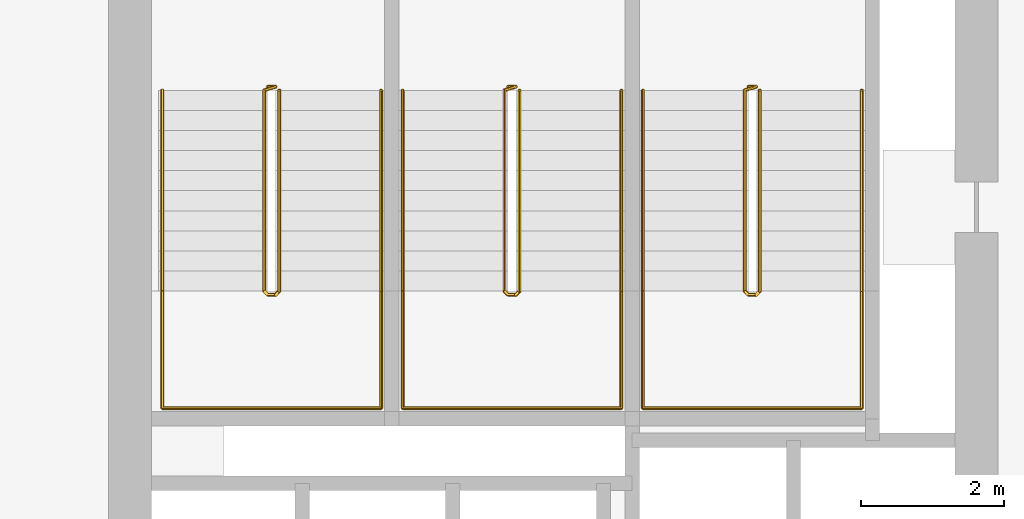
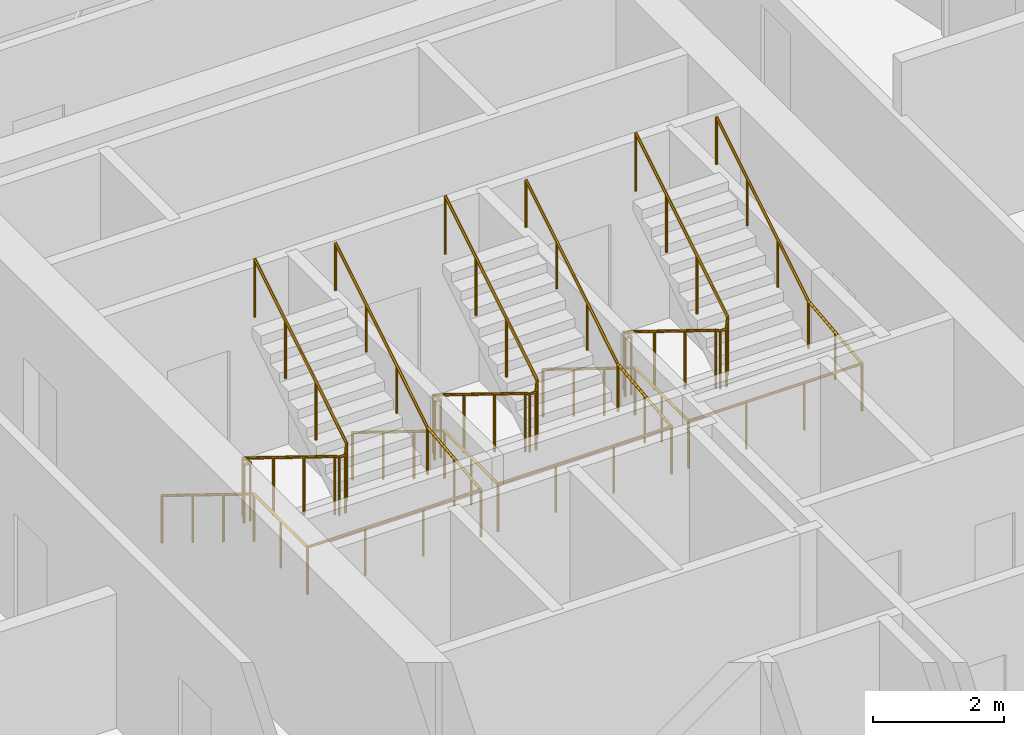
# One storey, part 19 of 19: 6 railings.
"""IFC4 building model written with IfcOpenShell, lengths in metres."""

from ifc_helpers import new_model, si_unit, direction, frame, origin, origin_2d, place, context, subcontext, project, spatial, circle, extrude, material, type_object, element, save


model = new_model("IFC4")

# Units and contexts
model_context = context("Model", 3, precision=1e-05, world=origin(), true_north=direction((0.0, 1.0)))
body_context = subcontext(model_context, "Body", "Model", "MODEL_VIEW")
ifc_project = project(units=[si_unit("LENGTHUNIT", "METRE"), si_unit("AREAUNIT", "SQUARE_METRE"), si_unit("VOLUMEUNIT", "CUBIC_METRE"), si_unit("PLANEANGLEUNIT", "RADIAN"), si_unit("MASSUNIT", "GRAM", prefix="KILO")], contexts=[model_context])

# Site, building, storey
site_placement = place(None, origin())
site = spatial("IfcSite", under=ifc_project, at=site_placement, CompositionType="ELEMENT")
building_placement = place(site_placement, origin())
building = spatial("IfcBuilding", under=site, at=building_placement, Name="Tessera Arch", CompositionType="ELEMENT")
storey_placement = place(building_placement, frame((0.0, 0.0, 85.39990234375)))
storey = spatial("IfcBuildingStorey", under=building, at=storey_placement, Name="L19", CompositionType="ELEMENT", Elevation=85.39990234375)

# Railings
ifc_material_1 = material(Name="Painted steel balustrade", Category="steel")
railing_type_1 = type_object("IfcRailingType", Name="Stair guard 1100", PredefinedType="GUARDRAIL", material=ifc_material_1)
railing_1_placement = place(storey_placement, frame((38.219970703125, 43.6298828125, 0.0)))
element("IfcRailing", 1, at=railing_1_placement, inside=storey, type_object=railing_type_1, Name="L19 S1a stair guard 1", PredefinedType="GUARDRAIL", context=body_context, shape_type="SweptSolid", body=[
    extrude(circle(Radius=0.02392578125, at=origin_2d()), frame((-0.00390625, 0.0, 1.076171875), z_axis=(1.0, 0.0, 0.0), x_axis=(0.0, 1.0, 0.0)), (0.0, 0.0, 1.0), 0.1181640625),
    extrude(circle(Radius=0.02392578125, at=origin_2d()), frame((0.11279296875, 0.000732421875, 1.0732421875), z_axis=(-0.664965661675, -0.206788102106, 0.717676354369), x_axis=(0.296948579431, -0.954893471113, 0.0)), (0.0, 0.0, 1.0), 0.248779296875),
    extrude(circle(Radius=0.02392578125, at=origin_2d()), frame((-0.050048828125, -0.04638671875, 1.246826171875), z_axis=(0.0, -0.851089632645, 0.525020415988), x_axis=(1.0, 0.0, 0.0)), (0.0, 0.0, 1.0), 3.2978515625),
    extrude(circle(Radius=0.02392578125, at=origin_2d()), frame((-0.052978515625, -2.846923828125, 2.97607421875), z_axis=(0.707106781187, -0.707106781187, 0.0), x_axis=(0.707106781187, 0.707106781187, 0.0)), (0.0, 0.0, 1.0), 0.078857421875),
    extrude(circle(Radius=0.02392578125, at=origin_2d()), frame((-0.00390625, -2.89990234375, 2.97607421875), z_axis=(1.0, 0.0, 0.0), x_axis=(0.0, 1.0, 0.0)), (0.0, 0.0, 1.0), 0.1181640625),
    extrude(circle(Radius=0.02392578125, at=origin_2d()), frame((0.109130859375, -2.90087890625, 2.972412109375), z_axis=(0.267062837333, 0.268371968888, 0.925556009775), x_axis=(-0.708833529934, 0.705375805398, 0.0)), (0.0, 0.0, 1.0), 0.194580078125),
    extrude(circle(Radius=0.02392578125, at=origin_2d()), frame((0.159912109375, -2.853271484375, 3.146728515625), z_axis=(0.0, 0.851089632645, 0.525020415988), x_axis=(-1.0, 0.0, 0.0)), (0.0, 0.0, 1.0), 3.2978515625),
    extrude(circle(Radius=0.02099609375, at=origin_2d()), origin(), (0.0, 0.0, 1.0), 1.06396484375),
    extrude(circle(Radius=0.02099609375, at=origin_2d()), frame((0.110107421875, 0.0, 0.0)), (0.0, 0.0, 1.0), 1.06396484375),
    extrude(circle(Radius=0.02099609375, at=origin_2d()), frame((-0.050048828125, -0.0498046875, 0.1728515625)), (0.0, 0.0, 1.0), 1.06396484375),
    extrude(circle(Radius=0.02099609375, at=origin_2d()), frame((-0.050048828125, -0.983154296875, 0.74853515625)), (0.0, 0.0, 1.0), 1.06396484375),
    extrude(circle(Radius=0.02099609375, at=origin_2d()), frame((-0.050048828125, -1.91650390625, 1.324462890625)), (0.0, 0.0, 1.0), 1.06396484375),
    extrude(circle(Radius=0.02099609375, at=origin_2d()), frame((-0.050048828125, -2.849853515625, 1.900146484375)), (0.0, 0.0, 1.0), 1.06396484375),
    extrude(circle(Radius=0.02099609375, at=origin_2d()), frame((0.0, -2.89990234375, 1.900146484375)), (0.0, 0.0, 1.0), 1.06396484375),
    extrude(circle(Radius=0.02099609375, at=origin_2d()), frame((0.110107421875, -2.89990234375, 1.900146484375)), (0.0, 0.0, 1.0), 1.06396484375),
    extrude(circle(Radius=0.02099609375, at=origin_2d()), frame((0.159912109375, -2.849853515625, 2.07275390625)), (0.0, 0.0, 1.0), 1.06396484375),
    extrude(circle(Radius=0.02099609375, at=origin_2d()), frame((0.159912109375, -1.91650390625, 2.6484375)), (0.0, 0.0, 1.0), 1.06396484375),
    extrude(circle(Radius=0.02099609375, at=origin_2d()), frame((0.159912109375, -0.983154296875, 3.224365234375)), (0.0, 0.0, 1.0), 1.06396484375),
    extrude(circle(Radius=0.02099609375, at=origin_2d()), frame((0.159912109375, -0.0498046875, 3.800048828125)), (0.0, 0.0, 1.0), 1.06396484375),
])
railing_2_placement = place(storey_placement, frame((41.570068359375, 43.6298828125, 0.0)))
element("IfcRailing", 2, at=railing_2_placement, inside=storey, type_object=railing_type_1, Name="L19 S1b stair guard 1", PredefinedType="GUARDRAIL", context=body_context, shape_type="SweptSolid", body=[
    extrude(circle(Radius=0.02392578125, at=origin_2d()), frame((-0.00390625, 0.0, 1.076171875), z_axis=(1.0, 0.0, 0.0), x_axis=(0.0, 1.0, 0.0)), (0.0, 0.0, 1.0), 0.117919921875),
    extrude(circle(Radius=0.02392578125, at=origin_2d()), frame((0.112548828125, 0.000732421875, 1.0732421875), z_axis=(-0.664399645116, -0.206927523059, 0.718160227087), x_axis=(0.297361876254, -0.954764847777, 0.0)), (0.0, 0.0, 1.0), 0.248779296875),
    extrude(circle(Radius=0.02392578125, at=origin_2d()), frame((-0.050048828125, -0.04638671875, 1.246826171875), z_axis=(0.0, -0.851089632645, 0.525020415988), x_axis=(1.0, 0.0, 0.0)), (0.0, 0.0, 1.0), 3.2978515625),
    extrude(circle(Radius=0.02392578125, at=origin_2d()), frame((-0.052978515625, -2.846923828125, 2.97607421875), z_axis=(0.707106781187, -0.707106781187, 0.0), x_axis=(0.707106781187, 0.707106781187, 0.0)), (0.0, 0.0, 1.0), 0.078857421875),
    extrude(circle(Radius=0.02392578125, at=origin_2d()), frame((-0.00390625, -2.89990234375, 2.97607421875), z_axis=(1.0, 0.0, 0.0), x_axis=(0.0, 1.0, 0.0)), (0.0, 0.0, 1.0), 0.117919921875),
    extrude(circle(Radius=0.02392578125, at=origin_2d()), frame((0.10888671875, -2.90087890625, 2.972412109375), z_axis=(0.268277960024, 0.268277960024, 0.925231793839), x_axis=(-0.707106781187, 0.707106781187, 0.0)), (0.0, 0.0, 1.0), 0.194580078125),
    extrude(circle(Radius=0.02392578125, at=origin_2d()), frame((0.159912109375, -2.853271484375, 3.146728515625), z_axis=(0.0, 0.851089632645, 0.525020415988), x_axis=(-1.0, 0.0, 0.0)), (0.0, 0.0, 1.0), 3.2978515625),
    extrude(circle(Radius=0.02099609375, at=origin_2d()), origin(), (0.0, 0.0, 1.0), 1.06396484375),
    extrude(circle(Radius=0.02099609375, at=origin_2d()), frame((0.10986328125, 0.0, 0.0)), (0.0, 0.0, 1.0), 1.06396484375),
    extrude(circle(Radius=0.02099609375, at=origin_2d()), frame((-0.050048828125, -0.0498046875, 0.1728515625)), (0.0, 0.0, 1.0), 1.06396484375),
    extrude(circle(Radius=0.02099609375, at=origin_2d()), frame((-0.050048828125, -0.983154296875, 0.74853515625)), (0.0, 0.0, 1.0), 1.06396484375),
    extrude(circle(Radius=0.02099609375, at=origin_2d()), frame((-0.050048828125, -1.91650390625, 1.324462890625)), (0.0, 0.0, 1.0), 1.06396484375),
    extrude(circle(Radius=0.02099609375, at=origin_2d()), frame((-0.050048828125, -2.849853515625, 1.900146484375)), (0.0, 0.0, 1.0), 1.06396484375),
    extrude(circle(Radius=0.02099609375, at=origin_2d()), frame((0.0, -2.89990234375, 1.900146484375)), (0.0, 0.0, 1.0), 1.06396484375),
    extrude(circle(Radius=0.02099609375, at=origin_2d()), frame((0.10986328125, -2.89990234375, 1.900146484375)), (0.0, 0.0, 1.0), 1.06396484375),
    extrude(circle(Radius=0.02099609375, at=origin_2d()), frame((0.159912109375, -2.849853515625, 2.07275390625)), (0.0, 0.0, 1.0), 1.06396484375),
    extrude(circle(Radius=0.02099609375, at=origin_2d()), frame((0.159912109375, -1.91650390625, 2.6484375)), (0.0, 0.0, 1.0), 1.06396484375),
    extrude(circle(Radius=0.02099609375, at=origin_2d()), frame((0.159912109375, -0.983154296875, 3.224365234375)), (0.0, 0.0, 1.0), 1.06396484375),
    extrude(circle(Radius=0.02099609375, at=origin_2d()), frame((0.159912109375, -0.0498046875, 3.800048828125)), (0.0, 0.0, 1.0), 1.06396484375),
])
railing_3_placement = place(storey_placement, frame((44.919921875, 43.6298828125, 0.0)))
element("IfcRailing", 3, at=railing_3_placement, inside=storey, type_object=railing_type_1, Name="L19 S1c stair guard 1", PredefinedType="GUARDRAIL", context=body_context, shape_type="SweptSolid", body=[
    extrude(circle(Radius=0.02392578125, at=origin_2d()), frame((-0.00390625, 0.0, 1.076171875), z_axis=(1.0, 0.0, 0.0), x_axis=(0.0, 1.0, 0.0)), (0.0, 0.0, 1.0), 0.1181640625),
    extrude(circle(Radius=0.02392578125, at=origin_2d()), frame((0.11279296875, 0.000732421875, 1.0732421875), z_axis=(-0.664399645116, -0.206927523059, 0.718160227087), x_axis=(0.297361876254, -0.954764847777, 0.0)), (0.0, 0.0, 1.0), 0.248779296875),
    extrude(circle(Radius=0.02392578125, at=origin_2d()), frame((-0.0498046875, -0.04638671875, 1.246826171875), z_axis=(0.0, -0.851089632645, 0.525020415988), x_axis=(1.0, 0.0, 0.0)), (0.0, 0.0, 1.0), 3.2978515625),
    extrude(circle(Radius=0.02392578125, at=origin_2d()), frame((-0.052734375, -2.846923828125, 2.97607421875), z_axis=(0.705375805398, -0.708833529934, 0.0), x_axis=(0.708833529934, 0.705375805398, 0.0)), (0.0, 0.0, 1.0), 0.07861328125),
    extrude(circle(Radius=0.02392578125, at=origin_2d()), frame((-0.00390625, -2.89990234375, 2.97607421875), z_axis=(1.0, 0.0, 0.0), x_axis=(0.0, 1.0, 0.0)), (0.0, 0.0, 1.0), 0.1181640625),
    extrude(circle(Radius=0.02392578125, at=origin_2d()), frame((0.109130859375, -2.90087890625, 2.972412109375), z_axis=(0.268277960024, 0.268277960024, 0.925231793839), x_axis=(-0.707106781187, 0.707106781187, 0.0)), (0.0, 0.0, 1.0), 0.194580078125),
    extrude(circle(Radius=0.02392578125, at=origin_2d()), frame((0.16015625, -2.853271484375, 3.146728515625), z_axis=(0.0, 0.851089632645, 0.525020415988), x_axis=(-1.0, 0.0, 0.0)), (0.0, 0.0, 1.0), 3.2978515625),
    extrude(circle(Radius=0.02099609375, at=origin_2d()), origin(), (0.0, 0.0, 1.0), 1.06396484375),
    extrude(circle(Radius=0.02099609375, at=origin_2d()), frame((0.110107421875, 0.0, 0.0)), (0.0, 0.0, 1.0), 1.06396484375),
    extrude(circle(Radius=0.02099609375, at=origin_2d()), frame((-0.0498046875, -0.0498046875, 0.1728515625)), (0.0, 0.0, 1.0), 1.06396484375),
    extrude(circle(Radius=0.02099609375, at=origin_2d()), frame((-0.0498046875, -0.983154296875, 0.74853515625)), (0.0, 0.0, 1.0), 1.06396484375),
    extrude(circle(Radius=0.02099609375, at=origin_2d()), frame((-0.0498046875, -1.91650390625, 1.324462890625)), (0.0, 0.0, 1.0), 1.06396484375),
    extrude(circle(Radius=0.02099609375, at=origin_2d()), frame((-0.0498046875, -2.849853515625, 1.900146484375)), (0.0, 0.0, 1.0), 1.06396484375),
    extrude(circle(Radius=0.02099609375, at=origin_2d()), frame((0.0, -2.89990234375, 1.900146484375)), (0.0, 0.0, 1.0), 1.06396484375),
    extrude(circle(Radius=0.02099609375, at=origin_2d()), frame((0.110107421875, -2.89990234375, 1.900146484375)), (0.0, 0.0, 1.0), 1.06396484375),
    extrude(circle(Radius=0.02099609375, at=origin_2d()), frame((0.16015625, -2.849853515625, 2.07275390625)), (0.0, 0.0, 1.0), 1.06396484375),
    extrude(circle(Radius=0.02099609375, at=origin_2d()), frame((0.16015625, -1.91650390625, 2.6484375)), (0.0, 0.0, 1.0), 1.06396484375),
    extrude(circle(Radius=0.02099609375, at=origin_2d()), frame((0.16015625, -0.983154296875, 3.224365234375)), (0.0, 0.0, 1.0), 1.06396484375),
    extrude(circle(Radius=0.02099609375, at=origin_2d()), frame((0.16015625, -0.0498046875, 3.800048828125)), (0.0, 0.0, 1.0), 1.06396484375),
])
ifc_material_2 = material(Name="Painted steel handrail", Category="steel")
railing_type_2 = type_object("IfcRailingType", Name="Stair handrail 900", PredefinedType="HANDRAIL", material=ifc_material_2)
railing_4_placement = place(storey_placement, frame((36.75, 43.580078125, 0.1728515625)))
element("IfcRailing", 4, at=railing_4_placement, inside=storey, type_object=railing_type_2, Name="L19 S1a stair handrail", PredefinedType="HANDRAIL", context=body_context, shape_type="SweptSolid", body=[
    extrude(circle(Radius=0.02392578125, at=origin_2d()), frame((0.0, 0.00341796875, 0.873779296875), z_axis=(0.0, -0.851089632645, 0.525020415988), x_axis=(1.0, 0.0, 0.0)), (0.0, 0.0, 1.0), 3.2978515625),
    extrude(circle(Radius=0.02392578125, at=origin_2d()), frame((0.0, -2.796142578125, 2.60302734375), z_axis=(0.0, -1.0, 0.0), x_axis=(1.0, 0.0, 0.0)), (0.0, 0.0, 1.0), 1.63818359375),
    extrude(circle(Radius=0.02392578125, at=origin_2d()), frame((-0.00390625, -4.43017578125, 2.60302734375), z_axis=(1.0, 0.0, 0.0), x_axis=(0.0, 1.0, 0.0)), (0.0, 0.0, 1.0), 3.05810546875),
    extrude(circle(Radius=0.02392578125, at=origin_2d()), frame((3.050048828125, -4.43408203125, 2.602783203125), z_axis=(0.0, 0.994440793715, 0.105297235459), x_axis=(-1.0, 0.0, 0.0)), (0.0, 0.0, 1.0), 1.647216796875),
    extrude(circle(Radius=0.02392578125, at=origin_2d()), frame((3.050048828125, -2.803466796875, 2.773681640625), z_axis=(0.0, 0.851089632645, 0.525020415988), x_axis=(-1.0, 0.0, 0.0)), (0.0, 0.0, 1.0), 3.2978515625),
    extrude(circle(Radius=0.02099609375, at=origin_2d()), origin(), (0.0, 0.0, 1.0), 0.86376953125),
    extrude(circle(Radius=0.02099609375, at=origin_2d()), frame((0.0, -0.933349609375, 0.57568359375)), (0.0, 0.0, 1.0), 0.86376953125),
    extrude(circle(Radius=0.02099609375, at=origin_2d()), frame((0.0, -1.86669921875, 1.151611328125)), (0.0, 0.0, 1.0), 0.86376953125),
    extrude(circle(Radius=0.02099609375, at=origin_2d()), frame((0.0, -2.800048828125, 1.727294921875)), (0.0, 0.0, 1.0), 0.86376953125),
    extrude(circle(Radius=0.02099609375, at=origin_2d()), frame((0.0, -3.615234375, 1.727294921875)), (0.0, 0.0, 1.0), 0.86376953125),
    extrude(circle(Radius=0.02099609375, at=origin_2d()), frame((0.0, -4.43017578125, 1.727294921875)), (0.0, 0.0, 1.0), 0.86376953125),
    extrude(circle(Radius=0.02099609375, at=origin_2d()), frame((1.0166015625, -4.43017578125, 1.727294921875)), (0.0, 0.0, 1.0), 0.86376953125),
    extrude(circle(Radius=0.02099609375, at=origin_2d()), frame((2.033447265625, -4.43017578125, 1.727294921875)), (0.0, 0.0, 1.0), 0.86376953125),
    extrude(circle(Radius=0.02099609375, at=origin_2d()), frame((3.050048828125, -4.43017578125, 1.727294921875)), (0.0, 0.0, 1.0), 0.86376953125),
    extrude(circle(Radius=0.02099609375, at=origin_2d()), frame((3.050048828125, -3.615234375, 1.8134765625)), (0.0, 0.0, 1.0), 0.86376953125),
    extrude(circle(Radius=0.02099609375, at=origin_2d()), frame((3.050048828125, -2.800048828125, 1.89990234375)), (0.0, 0.0, 1.0), 0.86376953125),
    extrude(circle(Radius=0.02099609375, at=origin_2d()), frame((3.050048828125, -1.86669921875, 2.4755859375)), (0.0, 0.0, 1.0), 0.86376953125),
    extrude(circle(Radius=0.02099609375, at=origin_2d()), frame((3.050048828125, -0.933349609375, 3.051513671875)), (0.0, 0.0, 1.0), 0.86376953125),
    extrude(circle(Radius=0.02099609375, at=origin_2d()), frame((3.050048828125, 0.0, 3.627197265625)), (0.0, 0.0, 1.0), 0.86376953125),
])
railing_5_placement = place(storey_placement, frame((40.10009765625, 43.580078125, 0.1728515625)))
element("IfcRailing", 5, at=railing_5_placement, inside=storey, type_object=railing_type_2, Name="L19 S1b stair handrail", PredefinedType="HANDRAIL", context=body_context, shape_type="SweptSolid", body=[
    extrude(circle(Radius=0.02392578125, at=origin_2d()), frame((0.0, 0.00341796875, 0.873779296875), z_axis=(0.0, -0.851089632645, 0.525020415988), x_axis=(1.0, 0.0, 0.0)), (0.0, 0.0, 1.0), 3.2978515625),
    extrude(circle(Radius=0.02392578125, at=origin_2d()), frame((0.0, -2.796142578125, 2.60302734375), z_axis=(0.0, -1.0, 0.0), x_axis=(1.0, 0.0, 0.0)), (0.0, 0.0, 1.0), 1.63818359375),
    extrude(circle(Radius=0.02392578125, at=origin_2d()), frame((-0.00390625, -4.43017578125, 2.60302734375), z_axis=(1.0, 0.0, 0.0), x_axis=(0.0, 1.0, 0.0)), (0.0, 0.0, 1.0), 3.057861328125),
    extrude(circle(Radius=0.02392578125, at=origin_2d()), frame((3.0498046875, -4.43408203125, 2.602783203125), z_axis=(0.0, 0.994440793715, 0.105297235459), x_axis=(-1.0, 0.0, 0.0)), (0.0, 0.0, 1.0), 1.647216796875),
    extrude(circle(Radius=0.02392578125, at=origin_2d()), frame((3.0498046875, -2.803466796875, 2.773681640625), z_axis=(0.0, 0.851089632645, 0.525020415988), x_axis=(-1.0, 0.0, 0.0)), (0.0, 0.0, 1.0), 3.2978515625),
    extrude(circle(Radius=0.02099609375, at=origin_2d()), origin(), (0.0, 0.0, 1.0), 0.86376953125),
    extrude(circle(Radius=0.02099609375, at=origin_2d()), frame((0.0, -0.933349609375, 0.57568359375)), (0.0, 0.0, 1.0), 0.86376953125),
    extrude(circle(Radius=0.02099609375, at=origin_2d()), frame((0.0, -1.86669921875, 1.151611328125)), (0.0, 0.0, 1.0), 0.86376953125),
    extrude(circle(Radius=0.02099609375, at=origin_2d()), frame((0.0, -2.800048828125, 1.727294921875)), (0.0, 0.0, 1.0), 0.86376953125),
    extrude(circle(Radius=0.02099609375, at=origin_2d()), frame((0.0, -3.615234375, 1.727294921875)), (0.0, 0.0, 1.0), 0.86376953125),
    extrude(circle(Radius=0.02099609375, at=origin_2d()), frame((0.0, -4.43017578125, 1.727294921875)), (0.0, 0.0, 1.0), 0.86376953125),
    extrude(circle(Radius=0.02099609375, at=origin_2d()), frame((1.0166015625, -4.43017578125, 1.727294921875)), (0.0, 0.0, 1.0), 0.86376953125),
    extrude(circle(Radius=0.02099609375, at=origin_2d()), frame((2.033203125, -4.43017578125, 1.727294921875)), (0.0, 0.0, 1.0), 0.86376953125),
    extrude(circle(Radius=0.02099609375, at=origin_2d()), frame((3.0498046875, -4.43017578125, 1.727294921875)), (0.0, 0.0, 1.0), 0.86376953125),
    extrude(circle(Radius=0.02099609375, at=origin_2d()), frame((3.0498046875, -3.615234375, 1.8134765625)), (0.0, 0.0, 1.0), 0.86376953125),
    extrude(circle(Radius=0.02099609375, at=origin_2d()), frame((3.0498046875, -2.800048828125, 1.89990234375)), (0.0, 0.0, 1.0), 0.86376953125),
    extrude(circle(Radius=0.02099609375, at=origin_2d()), frame((3.0498046875, -1.86669921875, 2.4755859375)), (0.0, 0.0, 1.0), 0.86376953125),
    extrude(circle(Radius=0.02099609375, at=origin_2d()), frame((3.0498046875, -0.933349609375, 3.051513671875)), (0.0, 0.0, 1.0), 0.86376953125),
    extrude(circle(Radius=0.02099609375, at=origin_2d()), frame((3.0498046875, 0.0, 3.627197265625)), (0.0, 0.0, 1.0), 0.86376953125),
])
railing_6_placement = place(storey_placement, frame((43.449951171875, 43.580078125, 0.1728515625)))
element("IfcRailing", 6, at=railing_6_placement, inside=storey, type_object=railing_type_2, Name="L19 S1c stair handrail", PredefinedType="HANDRAIL", context=body_context, shape_type="SweptSolid", body=[
    extrude(circle(Radius=0.02392578125, at=origin_2d()), frame((0.0, 0.00341796875, 0.873779296875), z_axis=(0.0, -0.851089632645, 0.525020415988), x_axis=(1.0, 0.0, 0.0)), (0.0, 0.0, 1.0), 3.2978515625),
    extrude(circle(Radius=0.02392578125, at=origin_2d()), frame((0.0, -2.796142578125, 2.60302734375), z_axis=(0.0, -1.0, 0.0), x_axis=(1.0, 0.0, 0.0)), (0.0, 0.0, 1.0), 1.63818359375),
    extrude(circle(Radius=0.02392578125, at=origin_2d()), frame((-0.00390625, -4.43017578125, 2.60302734375), z_axis=(1.0, 0.0, 0.0), x_axis=(0.0, 1.0, 0.0)), (0.0, 0.0, 1.0), 3.05810546875),
    extrude(circle(Radius=0.02392578125, at=origin_2d()), frame((3.050048828125, -4.43408203125, 2.602783203125), z_axis=(0.0, 0.994440793715, 0.105297235459), x_axis=(-1.0, 0.0, 0.0)), (0.0, 0.0, 1.0), 1.647216796875),
    extrude(circle(Radius=0.02392578125, at=origin_2d()), frame((3.050048828125, -2.803466796875, 2.773681640625), z_axis=(0.0, 0.851089632645, 0.525020415988), x_axis=(-1.0, 0.0, 0.0)), (0.0, 0.0, 1.0), 3.2978515625),
    extrude(circle(Radius=0.02099609375, at=origin_2d()), origin(), (0.0, 0.0, 1.0), 0.86376953125),
    extrude(circle(Radius=0.02099609375, at=origin_2d()), frame((0.0, -0.933349609375, 0.57568359375)), (0.0, 0.0, 1.0), 0.86376953125),
    extrude(circle(Radius=0.02099609375, at=origin_2d()), frame((0.0, -1.86669921875, 1.151611328125)), (0.0, 0.0, 1.0), 0.86376953125),
    extrude(circle(Radius=0.02099609375, at=origin_2d()), frame((0.0, -2.800048828125, 1.727294921875)), (0.0, 0.0, 1.0), 0.86376953125),
    extrude(circle(Radius=0.02099609375, at=origin_2d()), frame((0.0, -3.615234375, 1.727294921875)), (0.0, 0.0, 1.0), 0.86376953125),
    extrude(circle(Radius=0.02099609375, at=origin_2d()), frame((0.0, -4.43017578125, 1.727294921875)), (0.0, 0.0, 1.0), 0.86376953125),
    extrude(circle(Radius=0.02099609375, at=origin_2d()), frame((1.0166015625, -4.43017578125, 1.727294921875)), (0.0, 0.0, 1.0), 0.86376953125),
    extrude(circle(Radius=0.02099609375, at=origin_2d()), frame((2.033447265625, -4.43017578125, 1.727294921875)), (0.0, 0.0, 1.0), 0.86376953125),
    extrude(circle(Radius=0.02099609375, at=origin_2d()), frame((3.050048828125, -4.43017578125, 1.727294921875)), (0.0, 0.0, 1.0), 0.86376953125),
    extrude(circle(Radius=0.02099609375, at=origin_2d()), frame((3.050048828125, -3.615234375, 1.8134765625)), (0.0, 0.0, 1.0), 0.86376953125),
    extrude(circle(Radius=0.02099609375, at=origin_2d()), frame((3.050048828125, -2.800048828125, 1.89990234375)), (0.0, 0.0, 1.0), 0.86376953125),
    extrude(circle(Radius=0.02099609375, at=origin_2d()), frame((3.050048828125, -1.86669921875, 2.4755859375)), (0.0, 0.0, 1.0), 0.86376953125),
    extrude(circle(Radius=0.02099609375, at=origin_2d()), frame((3.050048828125, -0.933349609375, 3.051513671875)), (0.0, 0.0, 1.0), 0.86376953125),
    extrude(circle(Radius=0.02099609375, at=origin_2d()), frame((3.050048828125, 0.0, 3.627197265625)), (0.0, 0.0, 1.0), 0.86376953125),
])

save(model, "model.ifc")
